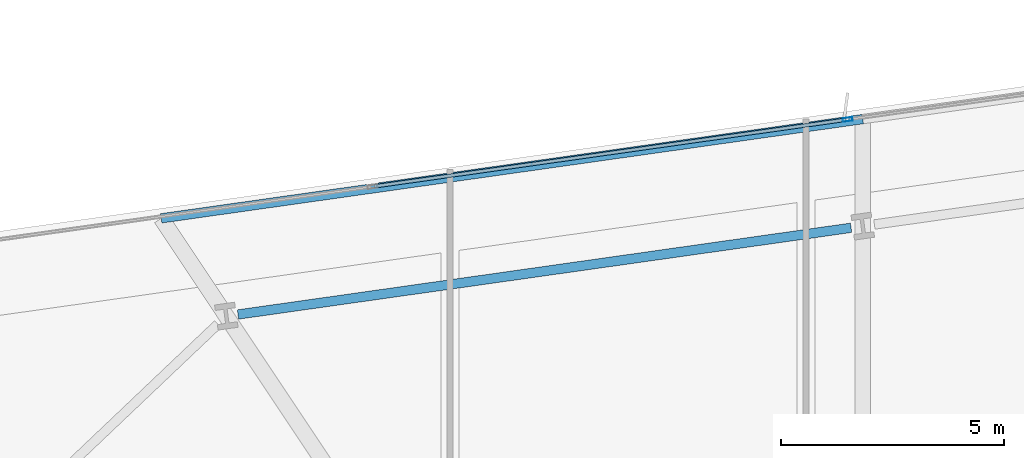
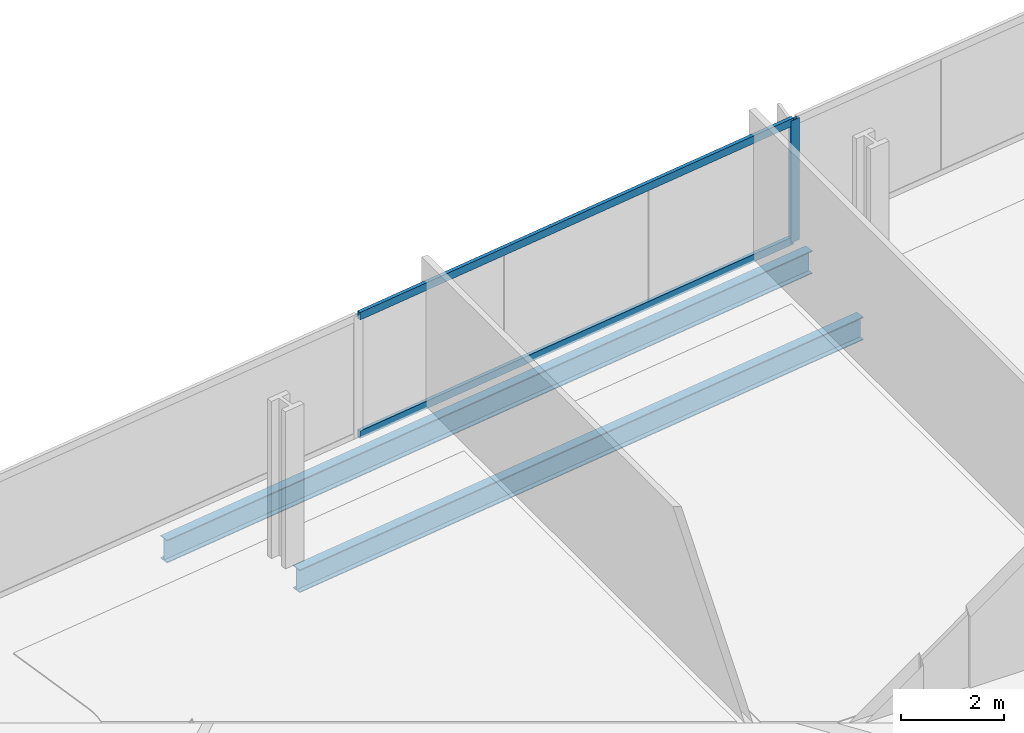
# One storey, part 19 of 33: 3 members, 2 beams, 1 element without a shape of its own.
"""IFC4 building model written with IfcOpenShell, lengths in metres."""

import ifcopenshell
import ifcopenshell.guid

model = None  # the IFC model being written
_history = None  # IfcOwnerHistory: only IFC2X3 demands one
_inside = {}  # id of a spatial element -> (the spatial element, [elements in it])
_under = {}  # id of a project, library or spatial element -> (it, [spatial elements below it])
_declared = {}  # id of a project -> (the project, [libraries it declares])
_typed = {}  # id of a type object -> (the type object, [elements of that type])
_made_of = {}  # id of a material, layer set ... -> (it, [elements and type objects made of it])


def new_model(schema):
    """Start an empty IFC model of exactly this schema.

    Asked for "IFC4X3", IfcOpenShell would pick the latest addendum, in which some entities
    have other attributes; the version numbers below select the first issue.
    IFC2X3 requires an IfcOwnerHistory on every rooted entity: one is made here for all.
    """
    global model, _history
    if schema == "IFC4X3":
        model = ifcopenshell.file(schema_version=(4, 3, 0, 0))
    else:
        model = ifcopenshell.file(schema=schema)
    _inside.clear()
    _under.clear()
    _declared.clear()
    _typed.clear()
    _made_of.clear()
    _history = None
    if model.schema == "IFC2X3":
        org = make("IfcOrganization", Name="unknown")
        user = make(
            "IfcPersonAndOrganization",
            ThePerson=make("IfcPerson", FamilyName="unknown"),
            TheOrganization=org,
        )
        app = make(
            "IfcApplication",
            ApplicationDeveloper=org,
            Version="unknown",
            ApplicationFullName="unknown",
            ApplicationIdentifier="unknown",
        )
        _history = make(
            "IfcOwnerHistory",
            OwningUser=user,
            OwningApplication=app,
            ChangeAction="ADDED",
            CreationDate=0,
        )
    return model


def make(cls, **values):
    """One entity of the class cls with the attributes given. An attribute that is None is left unset."""
    return model.create_entity(
        cls, **{name: value for name, value in values.items() if value is not None}
    )


def rooted(cls, **values):
    """An entity with a GlobalId (a new one), such as an element, a storey or a relation."""
    return make(cls, GlobalId=ifcopenshell.guid.new(), OwnerHistory=_history, **values)


def si_unit(unit_type, name, prefix=None):
    """IfcSIUnit, for example si_unit("LENGTHUNIT", "METRE", prefix="MILLI")."""
    return make("IfcSIUnit", UnitType=unit_type, Prefix=prefix, Name=name)


def assignment(units):
    """IfcUnitAssignment: the units of a project."""
    return None if units is None else make("IfcUnitAssignment", Units=units)


def point(xyz):
    """IfcCartesianPoint."""
    return None if xyz is None else make("IfcCartesianPoint", Coordinates=xyz)


def direction(xyz):
    """IfcDirection."""
    return None if xyz is None else make("IfcDirection", DirectionRatios=xyz)


def frame(location, z_axis=None, x_axis=None):
    """IfcAxis2Placement3D, a coordinate frame: its origin and axes. An axis left out is left unset."""
    return make(
        "IfcAxis2Placement3D",
        Location=point(location),
        Axis=direction(z_axis),
        RefDirection=direction(x_axis),
    )


def frame_2d(location, x_axis=None):
    """IfcAxis2Placement2D, a coordinate frame in the plane: its origin and x axis."""
    return make(
        "IfcAxis2Placement2D", Location=point(location), RefDirection=direction(x_axis)
    )


def origin():
    """The frame at (0, 0, 0) with its axes left unset."""
    return frame((0.0, 0.0, 0.0))


def origin_2d():
    """The frame at (0, 0) in the plane with its x axis left unset."""
    return frame_2d((0.0, 0.0))


def place(relative_to, where):
    """IfcLocalPlacement: puts the frame where relative to a parent placement (None: the world)."""
    return make(
        "IfcLocalPlacement", PlacementRelTo=relative_to, RelativePlacement=where
    )


def context(
    kind, dimensions, precision=None, world=None, true_north=None, identifier=None
):
    """IfcGeometricRepresentationContext, for example the 3D "Model" context."""
    return make(
        "IfcGeometricRepresentationContext",
        ContextIdentifier=identifier,
        ContextType=kind,
        CoordinateSpaceDimension=dimensions,
        Precision=precision,
        WorldCoordinateSystem=world,
        TrueNorth=true_north,
    )


def subcontext(parent, identifier, kind, view, scale=None):
    """IfcGeometricRepresentationSubContext, for example "Body" below "Model"."""
    return make(
        "IfcGeometricRepresentationSubContext",
        ContextIdentifier=identifier,
        ContextType=kind,
        ParentContext=parent,
        TargetScale=scale,
        TargetView=view,
    )


def project(units=None, contexts=None):
    """IfcProject with its units and contexts."""
    return rooted(
        "IfcProject",
        Name="project",
        RepresentationContexts=contexts,
        UnitsInContext=assignment(units),
    )


def spatial(cls, under=None, at=None, **own):
    """A site, building, storey or space (cls), placed at a placement, below another one or the project."""
    s = rooted(cls, ObjectPlacement=at, **own)
    if under is not None:
        _under.setdefault(under.id(), (under, []))[1].append(s)
    return s


def profile(cls, at=None, kind="AREA", **sizes):
    """A parametric profile (cls). Its sizes go by their IFC names, for example OverallWidth=200.0."""
    return make(cls, ProfileType=kind, Position=at, **sizes)


def hollow_rectangle(**sizes):
    """IfcRectangleHollowProfileDef."""
    return profile("IfcRectangleHollowProfileDef", **sizes)


def i_section(**sizes):
    """IfcIShapeProfileDef."""
    return profile("IfcIShapeProfileDef", **sizes)


def extrude(swept, where, along, depth):
    """IfcExtrudedAreaSolid: the profile swept, set in the frame where, extruded along a direction by depth."""
    return make(
        "IfcExtrudedAreaSolid",
        SweptArea=swept,
        Position=where,
        ExtrudedDirection=direction(along),
        Depth=depth,
    )


def shape(context_of_items, identifier, shape_type, items):
    """IfcShapeRepresentation: the items that make up one representation, for example the "Body"."""
    return make(
        "IfcShapeRepresentation",
        ContextOfItems=context_of_items,
        RepresentationIdentifier=identifier,
        RepresentationType=shape_type,
        Items=items,
    )


def material(Name=None, Category=None):
    """IfcMaterial."""
    return make("IfcMaterial", Name=Name, Category=Category)


def material_profile(
    of_material, cross_section, Name=None, Category=None, Priority=None
):
    """IfcMaterialProfile: a cross section and its material."""
    return make(
        "IfcMaterialProfile",
        Name=Name,
        Material=of_material,
        Profile=cross_section,
        Priority=Priority,
        Category=Category,
    )


def profile_set(profiles, Name=None, composite=None):
    """IfcMaterialProfileSet."""
    return make(
        "IfcMaterialProfileSet",
        Name=Name,
        MaterialProfiles=profiles,
        CompositeProfile=composite,
    )


def made_of(thing, what):
    """Note that an element or type object is made of a material, layer set ...; save() writes the relation."""
    if what is not None:
        _made_of.setdefault(what.id(), (what, []))[1].append(thing)
    return thing


def type_object(cls, material=None, **own):
    """A type object (cls), such as IfcWallType, which elements share."""
    return made_of(rooted(cls, **own), material)


def element(
    cls,
    number,
    at=None,
    inside=None,
    cuts=None,
    type_object=None,
    material=None,
    context=None,
    identifier="Body",
    shape_type=None,
    held_by="IfcProductDefinitionShape",
    body=None,
    shapes=None,
    **own,
):
    """One element of the class cls, such as IfcWall. Its Tag is "e" and its number.

    at: its placement. inside: the storey or other place that contains it. cuts: it is an
    opening in that element (IfcRelVoidsElement). A single representation is given by context,
    identifier, shape_type and body (its items); several are given by shapes. held_by: the class
    of the entity that holds the representations. save() writes the other relations.
    """
    e = rooted(cls, Tag="e%d" % number, ObjectPlacement=at, **own)
    if body is not None:
        shapes = [shape(context, identifier, shape_type, body)]
    if shapes is not None:
        e.Representation = make(held_by, Representations=shapes)
    if inside is not None:
        _inside.setdefault(inside.id(), (inside, []))[1].append(e)
    if cuts is not None:
        rooted(
            "IfcRelVoidsElement", RelatingBuildingElement=cuts, RelatedOpeningElement=e
        )
    if type_object is not None:
        _typed.setdefault(type_object.id(), (type_object, []))[1].append(e)
    return made_of(e, material)


def aggregate(whole, parts):
    """IfcRelAggregates: a whole, such as a stair, and the parts it consists of."""
    return rooted("IfcRelAggregates", RelatingObject=whole, RelatedObjects=parts)


def save(model, path):
    """Write the relations noted so far, then the file.

    IfcRelAggregates (storeys below a building ...), IfcRelContainedInSpatialStructure (elements
    in a storey), IfcRelDefinesByType, IfcRelAssociatesMaterial and IfcRelDeclares: one each for
    every whole, place, type object, material and project.
    """
    for whole, parts in _under.values():
        aggregate(whole, parts)
    for where, things in _inside.values():
        rooted(
            "IfcRelContainedInSpatialStructure",
            RelatedElements=things,
            RelatingStructure=where,
        )
    for kind, things in _typed.values():
        rooted("IfcRelDefinesByType", RelatedObjects=things, RelatingType=kind)
    for what, things in _made_of.values():
        rooted("IfcRelAssociatesMaterial", RelatedObjects=things, RelatingMaterial=what)
    for by, libraries in _declared.values():
        rooted("IfcRelDeclares", RelatingContext=by, RelatedDefinitions=libraries)
    model.write(path)


model = new_model("IFC4")

# Units and contexts
model_context = context("Model", 3, precision=1e-05, world=origin(), true_north=direction((0.0, 1.0)))
body_context = subcontext(model_context, "Body", "Model", "MODEL_VIEW")
ifc_project = project(units=[si_unit("LENGTHUNIT", "METRE"), si_unit("AREAUNIT", "SQUARE_METRE"), si_unit("VOLUMEUNIT", "CUBIC_METRE"), si_unit("PLANEANGLEUNIT", "RADIAN"), si_unit("MASSUNIT", "GRAM", prefix="KILO")], contexts=[model_context])

# Site, building, storey
site_placement = place(None, origin())
site = spatial("IfcSite", under=ifc_project, at=site_placement, CompositionType="ELEMENT")
building_placement = place(site_placement, origin())
building = spatial("IfcBuilding", under=site, at=building_placement, Name="Haldenkirk Collegiate Tower", CompositionType="ELEMENT")
storey_placement = place(building_placement, frame((0.0, 0.0, 55.199951171875)))
storey = spatial("IfcBuildingStorey", under=building, at=storey_placement, Name="L12", CompositionType="ELEMENT", Elevation=55.199951171875)

# Beams
ifc_material_1 = material(Name="Steel ASTM A992 Grade 50", Category="steel")
ifc_material_profile_1 = material_profile(ifc_material_1, i_section(OverallWidth=0.2119140625, OverallDepth=0.5439453125, WebThickness=0.01318359375, FlangeThickness=0.021240234375, at=origin_2d()), Name="W21X83")
ifc_profile_set_1 = profile_set([ifc_material_profile_1], Name="Steel ASTM A992 Grade 50")
beam_type = type_object("IfcBeamType", Name="BM-SPANDREL-W21X83", PredefinedType="SPANDREL", material=ifc_profile_set_1)
beam_1_placement = place(storey_placement, frame((32.51025390625, 48.785888671875, -0.58203125), z_axis=(-0.990146197746, -0.14003752029, 0.0), x_axis=(0.14003752029, -0.990146197746, 0.0)))
element("IfcBeam", 1, at=beam_1_placement, inside=storey, type_object=beam_type, Name="L12 perimeter spandrel beam 11", PredefinedType="SPANDREL", context=body_context, shape_type="SweptSolid", body=[
    extrude(i_section(OverallWidth=0.2119140625, OverallDepth=0.5439453125, WebThickness=0.01318359375, FlangeThickness=0.021240234375, at=origin_2d()), origin(), (0.0, 0.0, 1.0), 13.906982421875),
])
beam_2_placement = place(storey_placement, frame((32.772216796875, 51.2265625, -0.58203125), z_axis=(-0.990145224355, -0.140044402558, 0.0), x_axis=(0.140044402558, -0.990145224355, 0.0)))
element("IfcBeam", 2, at=beam_2_placement, inside=storey, type_object=beam_type, Name="L12 outer facade edge beam 3B", PredefinedType="SPANDREL", context=body_context, shape_type="SweptSolid", body=[
    extrude(i_section(OverallWidth=0.2119140625, OverallDepth=0.5439453125, WebThickness=0.01318359375, FlangeThickness=0.021240234375, at=origin_2d()), origin(), (0.0, 0.0, 1.0), 15.912841796875),
])

# Curtain wall, members
ifc_material_2 = material(Name="Anodised architectural bronze aluminium", Category="aluminium")
curtain_wall_type = type_object("IfcCurtainWallType", Name="CW-SYS1-CONVEX-LOW", PredefinedType="USERDEFINED", material=ifc_material_2)
curtain_wall_placement = place(storey_placement, origin())
curtain_wall = element("IfcCurtainWall", 3, at=curtain_wall_placement, inside=storey, type_object=curtain_wall_type, Name="L12 Lower tower convex bronze-framed unitised curtain wall", ObjectType="UNITISED CURTAIN WALL", PredefinedType="USERDEFINED")
ifc_material_profile_2 = material_profile(ifc_material_2, hollow_rectangle(XDim=0.080078125, YDim=0.219970703125, WallThickness=0.0048828125, at=origin_2d()), Name="CW-MUL-1A")
ifc_profile_set_2 = profile_set([ifc_material_profile_2], Name="Anodised architectural bronze aluminium")
member_type_1 = type_object("IfcMemberType", Name="CW-MUL-1A", PredefinedType="MULLION", material=ifc_profile_set_2)
member_1_placement = place(storey_placement, frame((32.433349609375, 51.218994140625, 0.0), z_axis=(0.0, 0.0, 1.0), x_axis=(-0.140039409054, 0.990145930614, 0.0)))
member_1 = element("IfcMember", 4, at=member_1_placement, type_object=member_type_1, Name="CW-1A mullion 3", PredefinedType="MULLION", context=body_context, shape_type="SweptSolid", body=[
    extrude(hollow_rectangle(XDim=0.080078125, YDim=0.219970703125, WallThickness=0.0048828125, at=origin_2d()), origin(), (0.0, 0.0, 1.0), 2.89111328125),
])
ifc_material_profile_3 = material_profile(ifc_material_2, hollow_rectangle(XDim=0.080078125, YDim=0.179931640625, WallThickness=0.0048828125, at=origin_2d()), Name="CW-TRN-1A")
ifc_profile_set_3 = profile_set([ifc_material_profile_3], Name="Anodised architectural bronze aluminium")
member_type_2 = type_object("IfcMemberType", Name="CW-TRN-1A", PredefinedType="USERDEFINED", material=ifc_profile_set_3)
member_2_placement = place(storey_placement, frame((21.803955078125, 49.7158203125, 0.0400390625), z_axis=(0.990148021922, 0.140024621705, 0.0), x_axis=(-0.140024621705, 0.990148021922, 0.0)))
member_2 = element("IfcMember", 5, at=member_2_placement, type_object=member_type_2, Name="CW-1A transom 2.1", ObjectType="TRANSOM", PredefinedType="USERDEFINED", context=body_context, shape_type="SweptSolid", body=[
    extrude(hollow_rectangle(XDim=0.080078125, YDim=0.179931640625, WallThickness=0.0048828125, at=origin_2d()), origin(), (0.0, 0.0, 1.0), 10.695068359375),
])
member_3_placement = place(storey_placement, frame((21.803955078125, 49.7158203125, 2.85107421875), z_axis=(0.990148021922, 0.140024621705, 0.0), x_axis=(-0.140024621705, 0.990148021922, 0.0)))
member_3 = element("IfcMember", 6, at=member_3_placement, type_object=member_type_2, Name="CW-1A transom 2.2", ObjectType="TRANSOM", PredefinedType="USERDEFINED", context=body_context, shape_type="SweptSolid", body=[
    extrude(hollow_rectangle(XDim=0.080078125, YDim=0.179931640625, WallThickness=0.0048828125, at=origin_2d()), origin(), (0.0, 0.0, 1.0), 10.695068359375),
])
aggregate(curtain_wall, [member_1, member_2, member_3])

save(model, "model.ifc")
